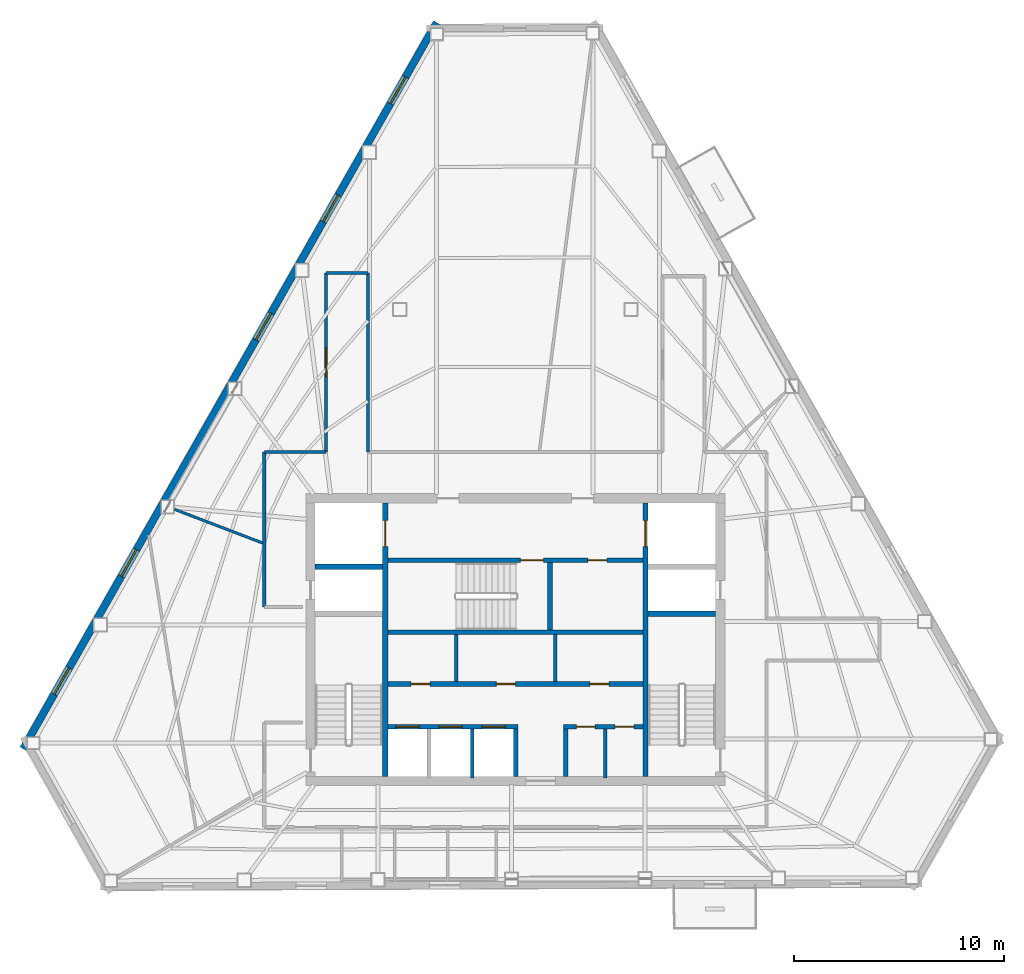
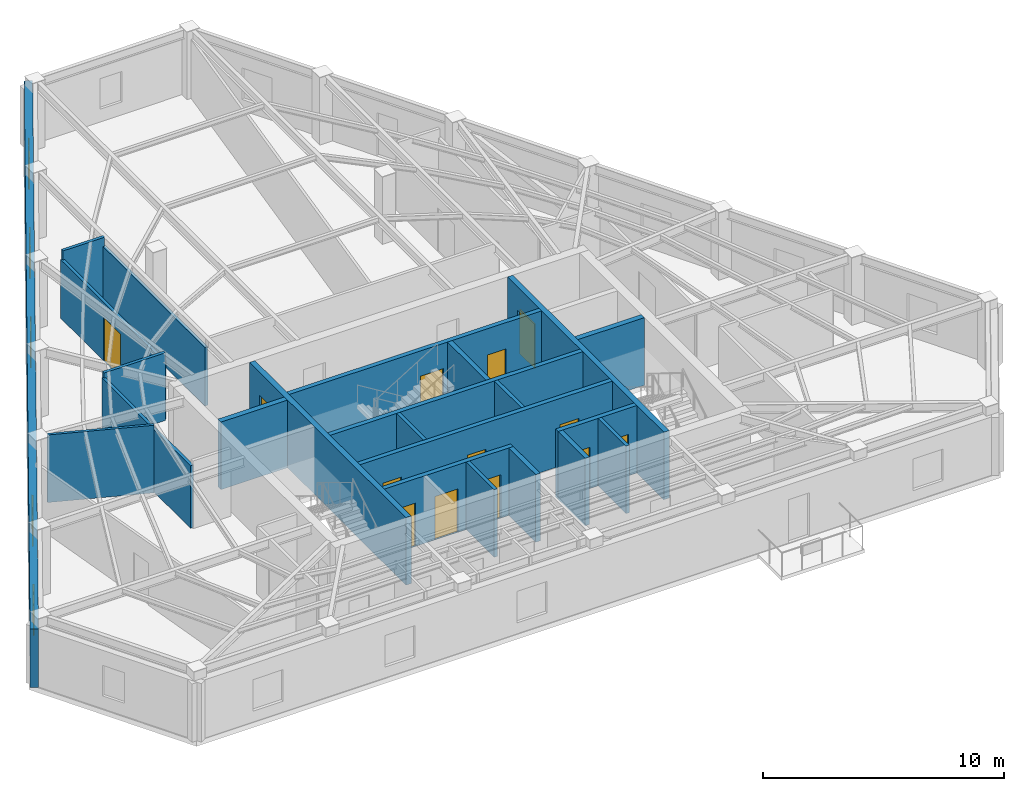
# One storey, part 7 of 10: 23 walls, 13 doors, 5 windows, 18 openings.
"""IFC4 building model written with IfcOpenShell, lengths in metres."""

import ifcopenshell
import ifcopenshell.guid

model = None  # the IFC model being written
_history = None  # IfcOwnerHistory: only IFC2X3 demands one
_inside = {}  # id of a spatial element -> (the spatial element, [elements in it])
_under = {}  # id of a project, library or spatial element -> (it, [spatial elements below it])
_declared = {}  # id of a project -> (the project, [libraries it declares])
_typed = {}  # id of a type object -> (the type object, [elements of that type])
_made_of = {}  # id of a material, layer set ... -> (it, [elements and type objects made of it])


def new_model(schema):
    """Start an empty IFC model of exactly this schema.

    Asked for "IFC4X3", IfcOpenShell would pick the latest addendum, in which some entities
    have other attributes; the version numbers below select the first issue.
    IFC2X3 requires an IfcOwnerHistory on every rooted entity: one is made here for all.
    """
    global model, _history
    if schema == "IFC4X3":
        model = ifcopenshell.file(schema_version=(4, 3, 0, 0))
    else:
        model = ifcopenshell.file(schema=schema)
    _inside.clear()
    _under.clear()
    _declared.clear()
    _typed.clear()
    _made_of.clear()
    _history = None
    if model.schema == "IFC2X3":
        org = make("IfcOrganization", Name="unknown")
        user = make(
            "IfcPersonAndOrganization",
            ThePerson=make("IfcPerson", FamilyName="unknown"),
            TheOrganization=org,
        )
        app = make(
            "IfcApplication",
            ApplicationDeveloper=org,
            Version="unknown",
            ApplicationFullName="unknown",
            ApplicationIdentifier="unknown",
        )
        _history = make(
            "IfcOwnerHistory",
            OwningUser=user,
            OwningApplication=app,
            ChangeAction="ADDED",
            CreationDate=0,
        )
    return model


def make(cls, **values):
    """One entity of the class cls with the attributes given. An attribute that is None is left unset."""
    return model.create_entity(
        cls, **{name: value for name, value in values.items() if value is not None}
    )


def rooted(cls, **values):
    """An entity with a GlobalId (a new one), such as an element, a storey or a relation."""
    return make(cls, GlobalId=ifcopenshell.guid.new(), OwnerHistory=_history, **values)


def si_unit(unit_type, name, prefix=None):
    """IfcSIUnit, for example si_unit("LENGTHUNIT", "METRE", prefix="MILLI")."""
    return make("IfcSIUnit", UnitType=unit_type, Prefix=prefix, Name=name)


def assignment(units):
    """IfcUnitAssignment: the units of a project."""
    return None if units is None else make("IfcUnitAssignment", Units=units)


def point(xyz):
    """IfcCartesianPoint."""
    return None if xyz is None else make("IfcCartesianPoint", Coordinates=xyz)


def direction(xyz):
    """IfcDirection."""
    return None if xyz is None else make("IfcDirection", DirectionRatios=xyz)


def frame(location, z_axis=None, x_axis=None):
    """IfcAxis2Placement3D, a coordinate frame: its origin and axes. An axis left out is left unset."""
    return make(
        "IfcAxis2Placement3D",
        Location=point(location),
        Axis=direction(z_axis),
        RefDirection=direction(x_axis),
    )


def frame_2d(location, x_axis=None):
    """IfcAxis2Placement2D, a coordinate frame in the plane: its origin and x axis."""
    return make(
        "IfcAxis2Placement2D", Location=point(location), RefDirection=direction(x_axis)
    )


def origin():
    """The frame at (0, 0, 0) with its axes left unset."""
    return frame((0.0, 0.0, 0.0))


def place(relative_to, where):
    """IfcLocalPlacement: puts the frame where relative to a parent placement (None: the world)."""
    return make(
        "IfcLocalPlacement", PlacementRelTo=relative_to, RelativePlacement=where
    )


def context(
    kind, dimensions, precision=None, world=None, true_north=None, identifier=None
):
    """IfcGeometricRepresentationContext, for example the 3D "Model" context."""
    return make(
        "IfcGeometricRepresentationContext",
        ContextIdentifier=identifier,
        ContextType=kind,
        CoordinateSpaceDimension=dimensions,
        Precision=precision,
        WorldCoordinateSystem=world,
        TrueNorth=true_north,
    )


def subcontext(parent, identifier, kind, view, scale=None):
    """IfcGeometricRepresentationSubContext, for example "Body" below "Model"."""
    return make(
        "IfcGeometricRepresentationSubContext",
        ContextIdentifier=identifier,
        ContextType=kind,
        ParentContext=parent,
        TargetScale=scale,
        TargetView=view,
    )


def project(units=None, contexts=None):
    """IfcProject with its units and contexts."""
    return rooted(
        "IfcProject",
        Name="project",
        RepresentationContexts=contexts,
        UnitsInContext=assignment(units),
    )


def spatial(cls, under=None, at=None, **own):
    """A site, building, storey or space (cls), placed at a placement, below another one or the project."""
    s = rooted(cls, ObjectPlacement=at, **own)
    if under is not None:
        _under.setdefault(under.id(), (under, []))[1].append(s)
    return s


def profile(cls, at=None, kind="AREA", **sizes):
    """A parametric profile (cls). Its sizes go by their IFC names, for example OverallWidth=200.0."""
    return make(cls, ProfileType=kind, Position=at, **sizes)


def rectangle(**sizes):
    """IfcRectangleProfileDef."""
    return profile("IfcRectangleProfileDef", **sizes)


def extrude(swept, where, along, depth):
    """IfcExtrudedAreaSolid: the profile swept, set in the frame where, extruded along a direction by depth."""
    return make(
        "IfcExtrudedAreaSolid",
        SweptArea=swept,
        Position=where,
        ExtrudedDirection=direction(along),
        Depth=depth,
    )


def shape(context_of_items, identifier, shape_type, items):
    """IfcShapeRepresentation: the items that make up one representation, for example the "Body"."""
    return make(
        "IfcShapeRepresentation",
        ContextOfItems=context_of_items,
        RepresentationIdentifier=identifier,
        RepresentationType=shape_type,
        Items=items,
    )


def material(Name=None, Category=None):
    """IfcMaterial."""
    return make("IfcMaterial", Name=Name, Category=Category)


def layer(
    of_material, thickness, ventilated=None, Name=None, Category=None, Priority=None
):
    """IfcMaterialLayer: one layer of a wall or slab, of a material (None: an air gap)."""
    return make(
        "IfcMaterialLayer",
        Material=of_material,
        LayerThickness=thickness,
        IsVentilated=ventilated,
        Name=Name,
        Category=Category,
        Priority=Priority,
    )


def layer_set(layers, Name=None):
    """IfcMaterialLayerSet."""
    return make("IfcMaterialLayerSet", MaterialLayers=layers, LayerSetName=Name)


def made_of(thing, what):
    """Note that an element or type object is made of a material, layer set ...; save() writes the relation."""
    if what is not None:
        _made_of.setdefault(what.id(), (what, []))[1].append(thing)
    return thing


def type_object(cls, material=None, **own):
    """A type object (cls), such as IfcWallType, which elements share."""
    return made_of(rooted(cls, **own), material)


def element(
    cls,
    number,
    at=None,
    inside=None,
    cuts=None,
    type_object=None,
    material=None,
    context=None,
    identifier="Body",
    shape_type=None,
    held_by="IfcProductDefinitionShape",
    body=None,
    shapes=None,
    **own,
):
    """One element of the class cls, such as IfcWall. Its Tag is "e" and its number.

    at: its placement. inside: the storey or other place that contains it. cuts: it is an
    opening in that element (IfcRelVoidsElement). A single representation is given by context,
    identifier, shape_type and body (its items); several are given by shapes. held_by: the class
    of the entity that holds the representations. save() writes the other relations.
    """
    e = rooted(cls, Tag="e%d" % number, ObjectPlacement=at, **own)
    if body is not None:
        shapes = [shape(context, identifier, shape_type, body)]
    if shapes is not None:
        e.Representation = make(held_by, Representations=shapes)
    if inside is not None:
        _inside.setdefault(inside.id(), (inside, []))[1].append(e)
    if cuts is not None:
        rooted(
            "IfcRelVoidsElement", RelatingBuildingElement=cuts, RelatedOpeningElement=e
        )
    if type_object is not None:
        _typed.setdefault(type_object.id(), (type_object, []))[1].append(e)
    return made_of(e, material)


def fill(opening, filler):
    """IfcRelFillsElement: the door or window that sits in an opening."""
    return rooted(
        "IfcRelFillsElement",
        RelatingOpeningElement=opening,
        RelatedBuildingElement=filler,
    )


def aggregate(whole, parts):
    """IfcRelAggregates: a whole, such as a stair, and the parts it consists of."""
    return rooted("IfcRelAggregates", RelatingObject=whole, RelatedObjects=parts)


def save(model, path):
    """Write the relations noted so far, then the file.

    IfcRelAggregates (storeys below a building ...), IfcRelContainedInSpatialStructure (elements
    in a storey), IfcRelDefinesByType, IfcRelAssociatesMaterial and IfcRelDeclares: one each for
    every whole, place, type object, material and project.
    """
    for whole, parts in _under.values():
        aggregate(whole, parts)
    for where, things in _inside.values():
        rooted(
            "IfcRelContainedInSpatialStructure",
            RelatedElements=things,
            RelatingStructure=where,
        )
    for kind, things in _typed.values():
        rooted("IfcRelDefinesByType", RelatedObjects=things, RelatingType=kind)
    for what, things in _made_of.values():
        rooted("IfcRelAssociatesMaterial", RelatedObjects=things, RelatingMaterial=what)
    for by, libraries in _declared.values():
        rooted("IfcRelDeclares", RelatingContext=by, RelatedDefinitions=libraries)
    model.write(path)


model = new_model("IFC4")

# Units and contexts
model_context = context("Model", 3, precision=1e-05, world=origin(), true_north=direction((0.0, 1.0)))
body_context = subcontext(model_context, "Body", "Model", "MODEL_VIEW")
ifc_project = project(units=[si_unit("LENGTHUNIT", "METRE"), si_unit("AREAUNIT", "SQUARE_METRE"), si_unit("VOLUMEUNIT", "CUBIC_METRE"), si_unit("PLANEANGLEUNIT", "RADIAN"), si_unit("MASSUNIT", "GRAM", prefix="KILO")], contexts=[model_context])

# Site, building, storey
site_placement = place(None, origin())
site = spatial("IfcSite", under=ifc_project, at=site_placement, CompositionType="ELEMENT")
building_placement = place(site_placement, origin())
building = spatial("IfcBuilding", under=site, at=building_placement, Name="Kavelnor Concourse Tower", CompositionType="ELEMENT")
storey_placement = place(building_placement, frame((0.0, 0.0, 230.449951171875)))
storey = spatial("IfcBuildingStorey", under=building, at=storey_placement, Name="L58", CompositionType="ELEMENT", Elevation=230.449951171875)

# Wall, openings, windows
ifc_material_1 = material(Name="Red-ochre clay face brick masonry", Category="masonry")
ifc_layer_1 = layer(ifc_material_1, 0.35009765625, Name="Red-ochre clay face brick masonry")
ifc_layer_set_1 = layer_set([ifc_layer_1], Name="Red-ochre clay face brick masonry")
wall_type_1 = type_object("IfcWallType", Name="WL-EXT-RED-BRICK-PIER-350", PredefinedType="STANDARD", material=ifc_layer_set_1)
wall_1_placement = place(storey_placement, frame((14.596923828125, 10.907470703125, 0.0), z_axis=(0.0, 0.0, 1.0), x_axis=(0.494693460531, 0.869067534837, 0.0)))
wall_1 = element("IfcWall", 1, at=wall_1_placement, inside=storey, type_object=wall_type_1, Name="L58 Exterior Brick Facade Wall E1", PredefinedType="STANDARD", context=body_context, shape_type="SweptSolid", body=[
    extrude(rectangle(XDim=39.744140625, YDim=0.35009765625, at=frame_2d((19.8720703125, 0.0))), origin(), (0.0, 0.0, 1.0), 2.962158203125),
])
opening_1_placement = place(wall_1_placement, frame((35.308349609375, 0.0, 0.550048828125)))
opening_1 = element("IfcOpeningElement", 2, at=opening_1_placement, cuts=wall_1, Name="Opening W-03", PredefinedType="OPENING", context=body_context, shape_type="SweptSolid", body=[
    extrude(rectangle(XDim=1.449951171875, YDim=1.60009765625, at=frame_2d((0.72509765625, 0.800048828125))), frame((0.0, 0.18505859375, 0.0), z_axis=(0.0, -1.0, 0.0), x_axis=(1.0, 0.0, 0.0)), (0.0, 0.0, 1.0), 0.3701171875),
])
opening_2_placement = place(wall_1_placement, frame((28.8427734375, 0.0, 0.550048828125)))
opening_2 = element("IfcOpeningElement", 3, at=opening_2_placement, cuts=wall_1, Name="Opening W-03", PredefinedType="OPENING", context=body_context, shape_type="SweptSolid", body=[
    extrude(rectangle(XDim=1.449951171875, YDim=1.60009765625, at=frame_2d((0.72509765625, 0.800048828125))), frame((0.0, 0.18505859375, 0.0), z_axis=(0.0, -1.0, 0.0), x_axis=(1.0, 0.0, 0.0)), (0.0, 0.0, 1.0), 0.3701171875),
])
opening_3_placement = place(wall_1_placement, frame((22.376953125, 0.0, 0.550048828125)))
opening_3 = element("IfcOpeningElement", 4, at=opening_3_placement, cuts=wall_1, Name="Opening W-03", PredefinedType="OPENING", context=body_context, shape_type="SweptSolid", body=[
    extrude(rectangle(XDim=1.449951171875, YDim=1.60009765625, at=frame_2d((0.72509765625, 0.800048828125))), frame((0.0, 0.18505859375, 0.0), z_axis=(0.0, -1.0, 0.0), x_axis=(1.0, 0.0, 0.0)), (0.0, 0.0, 1.0), 0.3701171875),
])
opening_4_placement = place(wall_1_placement, frame((9.445556640625, 0.0, 0.550048828125)))
opening_4 = element("IfcOpeningElement", 5, at=opening_4_placement, cuts=wall_1, Name="Opening W-03", PredefinedType="OPENING", context=body_context, shape_type="SweptSolid", body=[
    extrude(rectangle(XDim=1.449951171875, YDim=1.60009765625, at=frame_2d((0.72509765625, 0.800048828125))), frame((0.0, 0.18505859375, 0.0), z_axis=(0.0, -1.0, 0.0), x_axis=(1.0, 0.0, 0.0)), (0.0, 0.0, 1.0), 0.3701171875),
])
opening_5_placement = place(wall_1_placement, frame((2.979736328125, 0.0, 0.550048828125)))
opening_5 = element("IfcOpeningElement", 6, at=opening_5_placement, cuts=wall_1, Name="Opening W-03", PredefinedType="OPENING", context=body_context, shape_type="SweptSolid", body=[
    extrude(rectangle(XDim=1.449951171875, YDim=1.60009765625, at=frame_2d((0.72509765625, 0.800048828125))), frame((0.0, 0.18505859375, 0.0), z_axis=(0.0, -1.0, 0.0), x_axis=(1.0, 0.0, 0.0)), (0.0, 0.0, 1.0), 0.3701171875),
])
ifc_material_2 = material(Name="Double low-E argon insulated glazing", Category="glass")
window_type = type_object("IfcWindowType", Name="WIN-PIER-Z3-1500", PartitioningType="SINGLE_PANEL", PredefinedType="WINDOW", material=ifc_material_2)
window_1_placement = place(opening_1_placement, origin())
window_1 = element("IfcWindow", 7, at=window_1_placement, inside=storey, type_object=window_type, Name="L58 Deep-Set Brick Pier Window F0-B0", OverallHeight=1.60009765625, OverallWidth=1.449951171875, PartitioningType="SINGLE_PANEL", PredefinedType="WINDOW", context=body_context, shape_type="SweptSolid", body=[
    extrude(rectangle(XDim=1.449951171875, YDim=1.60009765625, at=frame_2d((0.72509765625, 0.800048828125))), frame((0.0, 0.030029296875, 0.0), z_axis=(0.0, -1.0, 0.0), x_axis=(1.0, 0.0, 0.0)), (0.0, 0.0, 1.0), 0.06005859375),
])
fill(opening_1, window_1)
window_2_placement = place(opening_2_placement, origin())
window_2 = element("IfcWindow", 8, at=window_2_placement, inside=storey, type_object=window_type, Name="L58 Deep-Set Brick Pier Window F0-B1", OverallHeight=1.60009765625, OverallWidth=1.449951171875, PartitioningType="SINGLE_PANEL", PredefinedType="WINDOW", context=body_context, shape_type="SweptSolid", body=[
    extrude(rectangle(XDim=1.449951171875, YDim=1.60009765625, at=frame_2d((0.72509765625, 0.800048828125))), frame((0.0, 0.030029296875, 0.0), z_axis=(0.0, -1.0, 0.0), x_axis=(1.0, 0.0, 0.0)), (0.0, 0.0, 1.0), 0.06005859375),
])
fill(opening_2, window_2)
window_3_placement = place(opening_3_placement, origin())
window_3 = element("IfcWindow", 9, at=window_3_placement, inside=storey, type_object=window_type, Name="L58 Deep-Set Brick Pier Window F0-B2", OverallHeight=1.60009765625, OverallWidth=1.449951171875, PartitioningType="SINGLE_PANEL", PredefinedType="WINDOW", context=body_context, shape_type="SweptSolid", body=[
    extrude(rectangle(XDim=1.449951171875, YDim=1.60009765625, at=frame_2d((0.72509765625, 0.800048828125))), frame((0.0, 0.030029296875, 0.0), z_axis=(0.0, -1.0, 0.0), x_axis=(1.0, 0.0, 0.0)), (0.0, 0.0, 1.0), 0.06005859375),
])
fill(opening_3, window_3)
window_4_placement = place(opening_4_placement, origin())
window_4 = element("IfcWindow", 10, at=window_4_placement, inside=storey, type_object=window_type, Name="L58 Deep-Set Brick Pier Window F0-B4", OverallHeight=1.60009765625, OverallWidth=1.449951171875, PartitioningType="SINGLE_PANEL", PredefinedType="WINDOW", context=body_context, shape_type="SweptSolid", body=[
    extrude(rectangle(XDim=1.449951171875, YDim=1.60009765625, at=frame_2d((0.72509765625, 0.800048828125))), frame((0.0, 0.030029296875, 0.0), z_axis=(0.0, -1.0, 0.0), x_axis=(1.0, 0.0, 0.0)), (0.0, 0.0, 1.0), 0.06005859375),
])
fill(opening_4, window_4)
window_5_placement = place(opening_5_placement, origin())
window_5 = element("IfcWindow", 11, at=window_5_placement, inside=storey, type_object=window_type, Name="L58 Deep-Set Brick Pier Window F0-B5", OverallHeight=1.60009765625, OverallWidth=1.449951171875, PartitioningType="SINGLE_PANEL", PredefinedType="WINDOW", context=body_context, shape_type="SweptSolid", body=[
    extrude(rectangle(XDim=1.449951171875, YDim=1.60009765625, at=frame_2d((0.72509765625, 0.800048828125))), frame((0.0, 0.030029296875, 0.0), z_axis=(0.0, -1.0, 0.0), x_axis=(1.0, 0.0, 0.0)), (0.0, 0.0, 1.0), 0.06005859375),
])
fill(opening_5, window_5)

# Walls
ifc_material_3 = material(Name="Gypsum plasterboard on light-gauge steel studs", Category="steel")
ifc_layer_2 = layer(ifc_material_3, 0.14501953125, Name="Gypsum plasterboard on light-gauge steel studs")
ifc_layer_set_2 = layer_set([ifc_layer_2], Name="Gypsum plasterboard on light-gauge steel studs")
wall_type_2 = type_object("IfcWallType", Name="WL-INT-CORR-145", PredefinedType="PARTITIONING", material=ifc_layer_set_2)
wall_2_placement = place(storey_placement, frame((26.06005859375, 17.64990234375, 0.0), z_axis=(0.0, 0.0, 1.0), x_axis=(0.0, 1.0, 0.0)))
element("IfcWall", 12, at=wall_2_placement, inside=storey, type_object=wall_type_2, Name="L58 Corridor Wall WL-L58-CR-02", PredefinedType="PARTITIONING", context=body_context, shape_type="SweptSolid", body=[
    extrude(rectangle(XDim=7.3701171875, YDim=0.14501953125, at=frame_2d((3.68505859375, 0.0))), origin(), (0.0, 0.0, 1.0), 3.1689453125),
])
wall_3_placement = place(storey_placement, frame((26.06005859375, 25.02001953125, 0.0), z_axis=(0.0, 0.0, 1.0), x_axis=(1.0, 0.0, 0.0)))
element("IfcWall", 13, at=wall_3_placement, inside=storey, type_object=wall_type_2, Name="L58 Corridor Wall WL-L58-CR-03", PredefinedType="PARTITIONING", context=body_context, shape_type="SweptSolid", body=[
    extrude(rectangle(XDim=2.93994140625, YDim=0.14501953125, at=frame_2d((1.469970703125, 0.0))), origin(), (0.0, 0.0, 1.0), 3.429931640625),
])

# Wall, opening, door
wall_4_placement = place(storey_placement, frame((29.0, 25.02001953125, 0.0), z_axis=(0.0, 0.0, 1.0), x_axis=(0.0, 1.0, 0.0)))
wall_4 = element("IfcWall", 14, at=wall_4_placement, inside=storey, type_object=wall_type_2, Name="L58 Corridor Wall WL-L58-CR-04", PredefinedType="PARTITIONING", context=body_context, shape_type="SweptSolid", body=[
    extrude(rectangle(XDim=8.518310546875, YDim=0.14501953125, at=frame_2d((4.25927734375, 0.0))), origin(), (0.0, 0.0, 1.0), 2.970947265625),
])
opening_6_placement = place(wall_4_placement, frame((3.55908203125, 0.0, 0.0)))
opening_6 = element("IfcOpeningElement", 15, at=opening_6_placement, cuts=wall_4, Name="Opening SD-140", PredefinedType="OPENING", context=body_context, shape_type="SweptSolid", body=[
    extrude(rectangle(XDim=1.39990234375, YDim=2.199951171875, at=frame_2d((0.699951171875, 1.10009765625))), frame((0.0, 0.08251953125, 0.0), z_axis=(0.0, -1.0, 0.0), x_axis=(1.0, 0.0, 0.0)), (0.0, 0.0, 1.0), 0.1650390625),
])
ifc_material_4 = material(Name="Solid-core hardwood timber", Category="wood")
door_type_1 = type_object("IfcDoorType", Name="DR-SUITE-ENTRY-1400", OperationType="NOTDEFINED", PredefinedType="DOOR", material=ifc_material_4)
door_1_placement = place(opening_6_placement, origin())
door_1 = element("IfcDoor", 16, at=door_1_placement, inside=storey, type_object=door_type_1, Name="L58 Staff Breakout Pantry 02 Door", OperationType="SINGLE_SWING_LEFT", OverallHeight=2.199951171875, OverallWidth=1.39990234375, PredefinedType="DOOR", context=body_context, shape_type="SweptSolid", body=[
    extrude(rectangle(XDim=1.39990234375, YDim=2.199951171875, at=frame_2d((0.699951171875, 1.10009765625))), frame((0.0, 0.02490234375, 0.0), z_axis=(0.0, -1.0, 0.0), x_axis=(1.0, 0.0, 0.0)), (0.0, 0.0, 1.0), 0.050048828125),
])
fill(opening_6, door_1)

# Walls
wall_5_placement = place(storey_placement, frame((29.0, 33.538330078125, 0.0), z_axis=(0.0, 0.0, 1.0), x_axis=(1.0, 0.0, 0.0)))
element("IfcWall", 17, at=wall_5_placement, inside=storey, type_object=wall_type_2, Name="L58 Corridor Wall WL-L58-CR-05", PredefinedType="PARTITIONING", context=body_context, shape_type="SweptSolid", body=[
    extrude(rectangle(XDim=2.0, YDim=0.14501953125, at=frame_2d((1.0, 0.0))), origin(), (0.0, 0.0, 1.0), 3.429931640625),
])
wall_6_placement = place(storey_placement, frame((31.0, 33.538330078125, 0.0), z_axis=(0.0, 0.0, 1.0), x_axis=(0.0, -1.0, 0.0)))
element("IfcWall", 18, at=wall_6_placement, inside=storey, type_object=wall_type_2, Name="L58 Corridor Wall WL-L58-CR-06", PredefinedType="PARTITIONING", context=body_context, shape_type="SweptSolid", body=[
    extrude(rectangle(XDim=8.518310546875, YDim=0.14501953125, at=frame_2d((4.25927734375, 0.0))), origin(), (0.0, 0.0, 1.0), 2.970947265625),
])
ifc_layer_3 = layer(ifc_material_3, 0.1650390625, Name="Gypsum plasterboard on light-gauge steel studs")
ifc_layer_set_3 = layer_set([ifc_layer_3], Name="Gypsum plasterboard on light-gauge steel studs")
wall_type_3 = type_object("IfcWallType", Name="WL-INT-FIRE-165", PredefinedType="PARTITIONING", material=ifc_layer_set_3)
wall_7_placement = place(storey_placement, frame((35.949951171875, 9.52001953125, 0.0), z_axis=(0.0, 0.0, 1.0), x_axis=(0.0, 1.0, 0.0)))
element("IfcWall", 19, at=wall_7_placement, inside=storey, type_object=wall_type_3, Name="L58 Lift Shaft Divider LP8", PredefinedType="PARTITIONING", context=body_context, shape_type="SweptSolid", body=[
    extrude(rectangle(XDim=2.320068359375, YDim=0.1650390625, at=frame_2d((1.16015625, 0.0))), origin(), (0.0, 0.0, 1.0), 3.429931640625),
])
for number, where, z_axis, x_axis, name in (
    (20, (35.199951171875, 14.10009765625, 0.0), (0.0, 0.0, 1.0), (0.0, 1.0, 0.0), "L58 Reclaimed Core Partition A"),
    (21, (39.89990234375, 14.10009765625, 0.0), (0.0, 0.0, 1.0), (0.0, 1.0, 0.0), "L58 Reclaimed Core Partition B"),
):
    element("IfcWall", number, at=place(storey_placement, frame(where, z_axis=z_axis, x_axis=x_axis)), inside=storey, type_object=wall_type_3, Name=name, PredefinedType="PARTITIONING", context=body_context, shape_type="SweptSolid", body=[
        extrude(rectangle(XDim=2.239990234375, YDim=0.1650390625, at=frame_2d((1.1201171875, 0.0))), origin(), (0.0, 0.0, 1.0), 3.429931640625),
    ])
wall_8_placement = place(storey_placement, frame((42.280029296875, 9.52001953125, 0.0), z_axis=(0.0, 0.0, 1.0), x_axis=(0.0, 1.0, 0.0)))
element("IfcWall", 22, at=wall_8_placement, inside=storey, type_object=wall_type_3, Name="L58 Core Support Divider", PredefinedType="PARTITIONING", context=body_context, shape_type="SweptSolid", body=[
    extrude(rectangle(XDim=2.320068359375, YDim=0.1650390625, at=frame_2d((1.16015625, 0.0))), origin(), (0.0, 0.0, 1.0), 3.429931640625),
])
ifc_layer_4 = layer(ifc_material_3, 0.125, Name="Gypsum plasterboard on light-gauge steel studs")
ifc_layer_set_4 = layer_set([ifc_layer_4], Name="Gypsum plasterboard on light-gauge steel studs")
wall_type_4 = type_object("IfcWallType", Name="WL-INT-SUITE-125", PredefinedType="PARTITIONING", material=ifc_layer_set_4)
wall_9_placement = place(storey_placement, frame((25.9794921875, 20.6953125, 0.0), z_axis=(0.0, 0.0, 1.0), x_axis=(-0.934055039119, 0.357129085761, 0.0)))
element("IfcWall", 23, at=wall_9_placement, inside=storey, type_object=wall_type_4, Name="L58 Radial Suite Partition 03", PredefinedType="PARTITIONING", context=body_context, shape_type="SweptSolid", body=[
    extrude(rectangle(XDim=4.4853515625, YDim=0.125, at=frame_2d((2.24267578125, 0.0))), origin(), (0.0, 0.0, 1.0), 3.429931640625),
])

# Wall, openings, doors
ifc_material_5 = material(Name="Concrete C50/60", Category="concrete")
ifc_layer_5 = layer(ifc_material_5, 0.219970703125, Name="Concrete C50/60")
ifc_layer_set_5 = layer_set([ifc_layer_5], Name="Concrete C50/60")
wall_type_5 = type_object("IfcWallType", Name="WL-SHAFT-220", PredefinedType="SOLIDWALL", material=ifc_layer_set_5)
wall_10_placement = place(storey_placement, frame((31.93994140625, 19.8701171875, 0.0), z_axis=(0.0, 0.0, 1.0), x_axis=(1.0, 0.0, 0.0)))
wall_10 = element("IfcWall", 24, at=wall_10_placement, inside=storey, type_object=wall_type_5, Name="L58 Emergency Lift Lobby South Wall", PredefinedType="SOLIDWALL", context=body_context, shape_type="SweptSolid", body=[
    extrude(rectangle(XDim=12.1201171875, YDim=0.219970703125, at=frame_2d((6.06005859375, 0.0))), origin(), (0.0, 0.0, 1.0), 3.429931640625),
])
opening_7_placement = place(wall_10_placement, frame((6.300048828125, 0.0, 0.0)))
opening_7 = element("IfcOpeningElement", 25, at=opening_7_placement, cuts=wall_10, Name="Opening FD-110", PredefinedType="OPENING", context=body_context, shape_type="SweptSolid", body=[
    extrude(rectangle(XDim=1.10009765625, YDim=2.14990234375, at=frame_2d((0.550048828125, 1.074951171875))), frame((0.0, 0.1201171875, 0.0), z_axis=(0.0, -1.0, 0.0), x_axis=(1.0, 0.0, 0.0)), (0.0, 0.0, 1.0), 0.239990234375),
])
opening_8_placement = place(wall_10_placement, frame((9.510009765625, 0.0, 0.0)))
opening_8 = element("IfcOpeningElement", 26, at=opening_8_placement, cuts=wall_10, Name="Opening FD-090", PredefinedType="OPENING", context=body_context, shape_type="SweptSolid", body=[
    extrude(rectangle(XDim=0.89990234375, YDim=2.10009765625, at=frame_2d((0.449951171875, 1.050048828125))), frame((0.0, 0.1201171875, 0.0), z_axis=(0.0, -1.0, 0.0), x_axis=(1.0, 0.0, 0.0)), (0.0, 0.0, 1.0), 0.239990234375),
])
ifc_material_6 = material(Name="Steel Grade 350", Category="steel")
door_type_2 = type_object("IfcDoorType", Name="DR-RISER-FIRE-900", OperationType="NOTDEFINED", PredefinedType="DOOR", material=ifc_material_6)
door_2_placement = place(opening_8_placement, origin())
door_2 = element("IfcDoor", 27, at=door_2_placement, inside=storey, type_object=door_type_2, Name="L58 Electrical Comms Door", OperationType="SINGLE_SWING_LEFT", OverallHeight=2.10009765625, OverallWidth=0.89990234375, PredefinedType="DOOR", context=body_context, shape_type="SweptSolid", body=[
    extrude(rectangle(XDim=0.89990234375, YDim=2.10009765625, at=frame_2d((0.449951171875, 1.050048828125))), frame((0.0, 0.02490234375, 0.0), z_axis=(0.0, -1.0, 0.0), x_axis=(1.0, 0.0, 0.0)), (0.0, 0.0, 1.0), 0.050048828125),
])
fill(opening_8, door_2)
door_type_3 = type_object("IfcDoorType", Name="DR-STAIR-FIRE-1100", OperationType="NOTDEFINED", PredefinedType="DOOR", material=ifc_material_6)
door_3_placement = place(opening_7_placement, origin())
door_3 = element("IfcDoor", 28, at=door_3_placement, inside=storey, type_object=door_type_3, Name="L58 Stair ST3 Fire Door", OperationType="SINGLE_SWING_LEFT", OverallHeight=2.14990234375, OverallWidth=1.10009765625, PredefinedType="DOOR", context=body_context, shape_type="SweptSolid", body=[
    extrude(rectangle(XDim=1.10009765625, YDim=2.14990234375, at=frame_2d((0.550048828125, 1.074951171875))), frame((0.0, 0.02490234375, 0.0), z_axis=(0.0, -1.0, 0.0), x_axis=(1.0, 0.0, 0.0)), (0.0, 0.0, 1.0), 0.050048828125),
])
fill(opening_7, door_3)

# Walls
wall_11_placement = place(storey_placement, frame((31.93994140625, 16.449951171875, 0.0), z_axis=(0.0, 0.0, 1.0), x_axis=(1.0, 0.0, 0.0)))
element("IfcWall", 29, at=wall_11_placement, inside=storey, type_object=wall_type_5, Name="L58 Stair ST3 South Core Wall", PredefinedType="SOLIDWALL", context=body_context, shape_type="SweptSolid", body=[
    extrude(rectangle(XDim=12.1201171875, YDim=0.219970703125, at=frame_2d((6.06005859375, 0.0))), origin(), (0.0, 0.0, 1.0), 3.429931640625),
])
wall_12_placement = place(storey_placement, frame((39.64990234375, 16.56005859375, 0.0), z_axis=(0.0, 0.0, 1.0), x_axis=(0.0, 1.0, 0.0)))
element("IfcWall", 30, at=wall_12_placement, inside=storey, type_object=wall_type_5, Name="L58 Stair ST3 East Core Wall", PredefinedType="SOLIDWALL", context=body_context, shape_type="SweptSolid", body=[
    extrude(rectangle(XDim=3.199951171875, YDim=0.219970703125, at=frame_2d((1.60009765625, 0.0))), origin(), (0.0, 0.0, 1.0), 3.429931640625),
])

# Wall, openings, doors
wall_13_placement = place(storey_placement, frame((31.93994140625, 13.989990234375, 0.0), z_axis=(0.0, 0.0, 1.0), x_axis=(1.0, 0.0, 0.0)))
wall_13 = element("IfcWall", 31, at=wall_13_placement, inside=storey, type_object=wall_type_5, Name="L58 North Lift Row Shaft Wall", PredefinedType="SOLIDWALL", context=body_context, shape_type="SweptSolid", body=[
    extrude(rectangle(XDim=12.1201171875, YDim=0.219970703125, at=frame_2d((6.06005859375, 0.0))), origin(), (0.0, 0.0, 1.0), 3.429931640625),
])
opening_9_placement = place(wall_13_placement, frame((1.110107421875, 0.0, 0.0)))
opening_9 = element("IfcOpeningElement", 32, at=opening_9_placement, cuts=wall_13, Name="Opening FD-090", PredefinedType="OPENING", context=body_context, shape_type="SweptSolid", body=[
    extrude(rectangle(XDim=0.89990234375, YDim=2.10009765625, at=frame_2d((0.449951171875, 1.050048828125))), frame((0.0, 0.1201171875, 0.0), z_axis=(0.0, -1.0, 0.0), x_axis=(1.0, 0.0, 0.0)), (0.0, 0.0, 1.0), 0.239990234375),
])
opening_10_placement = place(wall_13_placement, frame((5.159912109375, 0.0, 0.0)))
opening_10 = element("IfcOpeningElement", 33, at=opening_10_placement, cuts=wall_13, Name="Opening FD-090", PredefinedType="OPENING", context=body_context, shape_type="SweptSolid", body=[
    extrude(rectangle(XDim=0.89990234375, YDim=2.10009765625, at=frame_2d((0.449951171875, 1.050048828125))), frame((0.0, 0.1201171875, 0.0), z_axis=(0.0, -1.0, 0.0), x_axis=(1.0, 0.0, 0.0)), (0.0, 0.0, 1.0), 0.239990234375),
])
opening_11_placement = place(wall_13_placement, frame((9.610107421875, 0.0, 0.0)))
opening_11 = element("IfcOpeningElement", 34, at=opening_11_placement, cuts=wall_13, Name="Opening FD-090", PredefinedType="OPENING", context=body_context, shape_type="SweptSolid", body=[
    extrude(rectangle(XDim=0.89990234375, YDim=2.10009765625, at=frame_2d((0.449951171875, 1.050048828125))), frame((0.0, 0.1201171875, 0.0), z_axis=(0.0, -1.0, 0.0), x_axis=(1.0, 0.0, 0.0)), (0.0, 0.0, 1.0), 0.239990234375),
])
door_4_placement = place(opening_9_placement, origin())
door_4 = element("IfcDoor", 35, at=door_4_placement, inside=storey, type_object=door_type_2, Name="L58 Reclaimed Core Door A", OperationType="SINGLE_SWING_RIGHT", OverallHeight=2.10009765625, OverallWidth=0.89990234375, PredefinedType="DOOR", context=body_context, shape_type="SweptSolid", body=[
    extrude(rectangle(XDim=0.89990234375, YDim=2.10009765625, at=frame_2d((0.449951171875, 1.050048828125))), frame((0.0, 0.02490234375, 0.0), z_axis=(0.0, -1.0, 0.0), x_axis=(1.0, 0.0, 0.0)), (0.0, 0.0, 1.0), 0.050048828125),
])
fill(opening_9, door_4)
door_5_placement = place(opening_10_placement, origin())
door_5 = element("IfcDoor", 36, at=door_5_placement, inside=storey, type_object=door_type_2, Name="L58 Reclaimed Core Door B", OperationType="SINGLE_SWING_LEFT", OverallHeight=2.10009765625, OverallWidth=0.89990234375, PredefinedType="DOOR", context=body_context, shape_type="SweptSolid", body=[
    extrude(rectangle(XDim=0.89990234375, YDim=2.10009765625, at=frame_2d((0.449951171875, 1.050048828125))), frame((0.0, 0.02490234375, 0.0), z_axis=(0.0, -1.0, 0.0), x_axis=(1.0, 0.0, 0.0)), (0.0, 0.0, 1.0), 0.050048828125),
])
fill(opening_10, door_5)
door_6_placement = place(opening_11_placement, origin())
door_6 = element("IfcDoor", 37, at=door_6_placement, inside=storey, type_object=door_type_2, Name="L58 Reclaimed Core Door C", OperationType="SINGLE_SWING_RIGHT", OverallHeight=2.10009765625, OverallWidth=0.89990234375, PredefinedType="DOOR", context=body_context, shape_type="SweptSolid", body=[
    extrude(rectangle(XDim=0.89990234375, YDim=2.10009765625, at=frame_2d((0.449951171875, 1.050048828125))), frame((0.0, 0.02490234375, 0.0), z_axis=(0.0, -1.0, 0.0), x_axis=(1.0, 0.0, 0.0)), (0.0, 0.0, 1.0), 0.050048828125),
])
fill(opening_11, door_6)

wall_14_placement = place(storey_placement, frame((31.93994140625, 11.949951171875, 0.0), z_axis=(0.0, 0.0, 1.0), x_axis=(1.0, 0.0, 0.0)))
wall_14 = element("IfcWall", 38, at=wall_14_placement, inside=storey, type_object=wall_type_5, Name="L58 High-Rise Lift Bank North Wall", PredefinedType="SOLIDWALL", context=body_context, shape_type="SweptSolid", body=[
    extrude(rectangle(XDim=6.18994140625, YDim=0.219970703125, at=frame_2d((3.094970703125, 0.0))), origin(), (0.0, 0.0, 1.0), 3.429931640625),
])
opening_12_placement = place(wall_14_placement, frame((0.385009765625, 0.0, 0.0)))
opening_12 = element("IfcOpeningElement", 39, at=opening_12_placement, cuts=wall_14, Name="Opening LD-110", PredefinedType="OPENING", context=body_context, shape_type="SweptSolid", body=[
    extrude(rectangle(XDim=1.10009765625, YDim=2.199951171875, at=frame_2d((0.550048828125, 1.10009765625))), frame((0.0, 0.1201171875, 0.0), z_axis=(0.0, -1.0, 0.0), x_axis=(1.0, 0.0, 0.0)), (0.0, 0.0, 1.0), 0.239990234375),
])
opening_13_placement = place(wall_14_placement, frame((2.43505859375, 0.0, 0.0)))
opening_13 = element("IfcOpeningElement", 40, at=opening_13_placement, cuts=wall_14, Name="Opening LD-110", PredefinedType="OPENING", context=body_context, shape_type="SweptSolid", body=[
    extrude(rectangle(XDim=1.10009765625, YDim=2.199951171875, at=frame_2d((0.550048828125, 1.10009765625))), frame((0.0, 0.1201171875, 0.0), z_axis=(0.0, -1.0, 0.0), x_axis=(1.0, 0.0, 0.0)), (0.0, 0.0, 1.0), 0.239990234375),
])
opening_14_placement = place(wall_14_placement, frame((4.485107421875, 0.0, 0.0)))
opening_14 = element("IfcOpeningElement", 41, at=opening_14_placement, cuts=wall_14, Name="Opening LD-110", PredefinedType="OPENING", context=body_context, shape_type="SweptSolid", body=[
    extrude(rectangle(XDim=1.10009765625, YDim=2.199951171875, at=frame_2d((0.550048828125, 1.10009765625))), frame((0.0, 0.1201171875, 0.0), z_axis=(0.0, -1.0, 0.0), x_axis=(1.0, 0.0, 0.0)), (0.0, 0.0, 1.0), 0.239990234375),
])
door_type_4 = type_object("IfcDoorType", Name="DR-LIFT-SLIDING-1100", OperationType="NOTDEFINED", PredefinedType="DOOR", material=ifc_material_6)
door_7_placement = place(opening_12_placement, origin())
door_7 = element("IfcDoor", 42, at=door_7_placement, inside=storey, type_object=door_type_4, Name="L58 Lift LP7 Landing Door", OperationType="DOUBLE_DOOR_SLIDING", OverallHeight=2.199951171875, OverallWidth=1.10009765625, PredefinedType="DOOR", context=body_context, shape_type="SweptSolid", body=[
    extrude(rectangle(XDim=1.10009765625, YDim=2.199951171875, at=frame_2d((0.550048828125, 1.10009765625))), frame((0.0, 0.02490234375, 0.0), z_axis=(0.0, -1.0, 0.0), x_axis=(1.0, 0.0, 0.0)), (0.0, 0.0, 1.0), 0.050048828125),
])
fill(opening_12, door_7)
door_8_placement = place(opening_13_placement, origin())
door_8 = element("IfcDoor", 43, at=door_8_placement, inside=storey, type_object=door_type_4, Name="L58 Lift LP8 Landing Door", OperationType="DOUBLE_DOOR_SLIDING", OverallHeight=2.199951171875, OverallWidth=1.10009765625, PredefinedType="DOOR", context=body_context, shape_type="SweptSolid", body=[
    extrude(rectangle(XDim=1.10009765625, YDim=2.199951171875, at=frame_2d((0.550048828125, 1.10009765625))), frame((0.0, 0.02490234375, 0.0), z_axis=(0.0, -1.0, 0.0), x_axis=(1.0, 0.0, 0.0)), (0.0, 0.0, 1.0), 0.050048828125),
])
fill(opening_13, door_8)
door_9_placement = place(opening_14_placement, origin())
door_9 = element("IfcDoor", 44, at=door_9_placement, inside=storey, type_object=door_type_4, Name="L58 Lift LP9 Landing Door", OperationType="DOUBLE_DOOR_SLIDING", OverallHeight=2.199951171875, OverallWidth=1.10009765625, PredefinedType="DOOR", context=body_context, shape_type="SweptSolid", body=[
    extrude(rectangle(XDim=1.10009765625, YDim=2.199951171875, at=frame_2d((0.550048828125, 1.10009765625))), frame((0.0, 0.02490234375, 0.0), z_axis=(0.0, -1.0, 0.0), x_axis=(1.0, 0.0, 0.0)), (0.0, 0.0, 1.0), 0.050048828125),
])
fill(opening_14, door_9)

wall_15_placement = place(storey_placement, frame((40.280029296875, 11.949951171875, 0.0), z_axis=(0.0, 0.0, 1.0), x_axis=(1.0, 0.0, 0.0)))
wall_15 = element("IfcWall", 45, at=wall_15_placement, inside=storey, type_object=wall_type_5, Name="L58 Core South Support North Wall", PredefinedType="SOLIDWALL", context=body_context, shape_type="SweptSolid", body=[
    extrude(rectangle(XDim=3.780029296875, YDim=0.219970703125, at=frame_2d((1.89013671875, 0.0))), origin(), (0.0, 0.0, 1.0), 3.429931640625),
])
opening_15_placement = place(wall_15_placement, frame((0.6201171875, 0.0, 0.0)))
opening_15 = element("IfcOpeningElement", 46, at=opening_15_placement, cuts=wall_15, Name="Opening FD-090", PredefinedType="OPENING", context=body_context, shape_type="SweptSolid", body=[
    extrude(rectangle(XDim=0.89990234375, YDim=2.10009765625, at=frame_2d((0.449951171875, 1.050048828125))), frame((0.0, 0.1201171875, 0.0), z_axis=(0.0, -1.0, 0.0), x_axis=(1.0, 0.0, 0.0)), (0.0, 0.0, 1.0), 0.239990234375),
])
opening_16_placement = place(wall_15_placement, frame((2.469970703125, 0.0, 0.0)))
opening_16 = element("IfcOpeningElement", 47, at=opening_16_placement, cuts=wall_15, Name="Opening FD-090", PredefinedType="OPENING", context=body_context, shape_type="SweptSolid", body=[
    extrude(rectangle(XDim=0.89990234375, YDim=2.10009765625, at=frame_2d((0.449951171875, 1.050048828125))), frame((0.0, 0.1201171875, 0.0), z_axis=(0.0, -1.0, 0.0), x_axis=(1.0, 0.0, 0.0)), (0.0, 0.0, 1.0), 0.239990234375),
])
door_10_placement = place(opening_15_placement, origin())
door_10 = element("IfcDoor", 48, at=door_10_placement, inside=storey, type_object=door_type_2, Name="L58 Cleaner Cupboard Door", OperationType="SINGLE_SWING_RIGHT", OverallHeight=2.10009765625, OverallWidth=0.89990234375, PredefinedType="DOOR", context=body_context, shape_type="SweptSolid", body=[
    extrude(rectangle(XDim=0.89990234375, YDim=2.10009765625, at=frame_2d((0.449951171875, 1.050048828125))), frame((0.0, 0.02490234375, 0.0), z_axis=(0.0, -1.0, 0.0), x_axis=(1.0, 0.0, 0.0)), (0.0, 0.0, 1.0), 0.050048828125),
])
fill(opening_15, door_10)
door_11_placement = place(opening_16_placement, origin())
door_11 = element("IfcDoor", 49, at=door_11_placement, inside=storey, type_object=door_type_2, Name="L58 Supplies Store Door", OperationType="SINGLE_SWING_LEFT", OverallHeight=2.10009765625, OverallWidth=0.89990234375, PredefinedType="DOOR", context=body_context, shape_type="SweptSolid", body=[
    extrude(rectangle(XDim=0.89990234375, YDim=2.10009765625, at=frame_2d((0.449951171875, 1.050048828125))), frame((0.0, 0.02490234375, 0.0), z_axis=(0.0, -1.0, 0.0), x_axis=(1.0, 0.0, 0.0)), (0.0, 0.0, 1.0), 0.050048828125),
])
fill(opening_16, door_11)

# Walls
for number, where, z_axis, x_axis, name in (
    (50, (38.02001953125, 9.60009765625, 0.0), (0.0, 0.0, 1.0), (0.0, 1.0, 0.0), "L58 Lift Lobby Throat West Wall"),
    (51, (40.389892578125, 9.60009765625, 0.0), (0.0, 0.0, 1.0), (0.0, 1.0, 0.0), "L58 Lift Lobby Throat East Wall"),
):
    element("IfcWall", number, at=place(storey_placement, frame(where, z_axis=z_axis, x_axis=x_axis)), inside=storey, type_object=wall_type_5, Name=name, PredefinedType="SOLIDWALL", context=body_context, shape_type="SweptSolid", body=[
        extrude(rectangle(XDim=2.239990234375, YDim=0.219970703125, at=frame_2d((1.1201171875, 0.0))), origin(), (0.0, 0.0, 1.0), 3.429931640625),
    ])

# Wall, opening, door
ifc_layer_6 = layer(ifc_material_5, 0.260009765625, Name="Concrete C50/60")
ifc_layer_set_6 = layer_set([ifc_layer_6], Name="Concrete C50/60")
wall_type_6 = type_object("IfcWallType", Name="WL-SHAFT-260", PredefinedType="SHEAR", material=ifc_layer_set_6)
wall_16_placement = place(storey_placement, frame((31.81005859375, 9.60009765625, 0.0), z_axis=(0.0, 0.0, 1.0), x_axis=(0.0, 1.0, 0.0)))
wall_16 = element("IfcWall", 52, at=wall_16_placement, inside=storey, type_object=wall_type_6, Name="L58 Core West Wing Shear Wall", PredefinedType="SHEAR", context=body_context, shape_type="SweptSolid", body=[
    extrude(rectangle(XDim=13.0, YDim=0.260009765625, at=frame_2d((6.5, 0.0))), origin(), (0.0, 0.0, 1.0), 3.429931640625),
])
opening_17_placement = place(wall_16_placement, frame((10.925048828125, 0.0, 0.0)))
opening_17 = element("IfcOpeningElement", 53, at=opening_17_placement, cuts=wall_16, Name="Opening LD-125", PredefinedType="OPENING", context=body_context, shape_type="SweptSolid", body=[
    extrude(rectangle(XDim=1.25, YDim=2.25, at=frame_2d((0.625, 1.125))), frame((0.0, 0.14013671875, 0.0), z_axis=(0.0, -1.0, 0.0), x_axis=(1.0, 0.0, 0.0)), (0.0, 0.0, 1.0), 0.280029296875),
])
door_type_5 = type_object("IfcDoorType", Name="DR-LIFT-SLIDING-1250", OperationType="NOTDEFINED", PredefinedType="DOOR", material=ifc_material_6)
door_12_placement = place(opening_17_placement, origin())
door_12 = element("IfcDoor", 54, at=door_12_placement, inside=storey, type_object=door_type_5, Name="L58 Emergency Lift FL1 Landing Door", OperationType="DOUBLE_DOOR_SLIDING", OverallHeight=2.25, OverallWidth=1.25, PredefinedType="DOOR", context=body_context, shape_type="SweptSolid", body=[
    extrude(rectangle(XDim=1.25, YDim=2.25, at=frame_2d((0.625, 1.125))), frame((0.0, 0.02490234375, 0.0), z_axis=(0.0, -1.0, 0.0), x_axis=(1.0, 0.0, 0.0)), (0.0, 0.0, 1.0), 0.050048828125),
])
fill(opening_17, door_12)

wall_17_placement = place(storey_placement, frame((44.18994140625, 9.60009765625, 0.0), z_axis=(0.0, 0.0, 1.0), x_axis=(0.0, 1.0, 0.0)))
wall_17 = element("IfcWall", 55, at=wall_17_placement, inside=storey, type_object=wall_type_6, Name="L58 Core East Wing Shear Wall", PredefinedType="SHEAR", context=body_context, shape_type="SweptSolid", body=[
    extrude(rectangle(XDim=13.0, YDim=0.260009765625, at=frame_2d((6.5, 0.0))), origin(), (0.0, 0.0, 1.0), 3.429931640625),
])
opening_18_placement = place(wall_17_placement, frame((10.925048828125, 0.0, 0.0)))
opening_18 = element("IfcOpeningElement", 56, at=opening_18_placement, cuts=wall_17, Name="Opening LD-125", PredefinedType="OPENING", context=body_context, shape_type="SweptSolid", body=[
    extrude(rectangle(XDim=1.25, YDim=2.25, at=frame_2d((0.625, 1.125))), frame((0.0, 0.14013671875, 0.0), z_axis=(0.0, -1.0, 0.0), x_axis=(1.0, 0.0, 0.0)), (0.0, 0.0, 1.0), 0.280029296875),
])
door_13_placement = place(opening_18_placement, origin())
door_13 = element("IfcDoor", 57, at=door_13_placement, inside=storey, type_object=door_type_5, Name="L58 Emergency Lift FL2 Landing Door", OperationType="DOUBLE_DOOR_SLIDING", OverallHeight=2.25, OverallWidth=1.25, PredefinedType="DOOR", context=body_context, shape_type="SweptSolid", body=[
    extrude(rectangle(XDim=1.25, YDim=2.25, at=frame_2d((0.625, 1.125))), frame((0.0, 0.02490234375, 0.0), z_axis=(0.0, -1.0, 0.0), x_axis=(1.0, 0.0, 0.0)), (0.0, 0.0, 1.0), 0.050048828125),
])
fill(opening_18, door_13)

# Walls
for number, where, z_axis, x_axis, name in (
    (58, (28.47998046875, 19.570068359375, 0.0), (0.0, 0.0, 1.0), (1.0, 0.0, 0.0), "L58 Emergency Lift FL1 South Shaft Wall"),
    (59, (44.320068359375, 17.330078125, 0.0), (0.0, 0.0, 1.0), (1.0, 0.0, 0.0), "L58 Stair ST2 North Shaft Wall"),
):
    element("IfcWall", number, at=place(storey_placement, frame(where, z_axis=z_axis, x_axis=x_axis)), inside=storey, type_object=wall_type_6, Name=name, PredefinedType="SHEAR", context=body_context, shape_type="SweptSolid", body=[
        extrude(rectangle(XDim=3.199951171875, YDim=0.260009765625, at=frame_2d((1.60009765625, 0.0))), origin(), (0.0, 0.0, 1.0), 3.429931640625),
    ])

save(model, "model.ifc")
